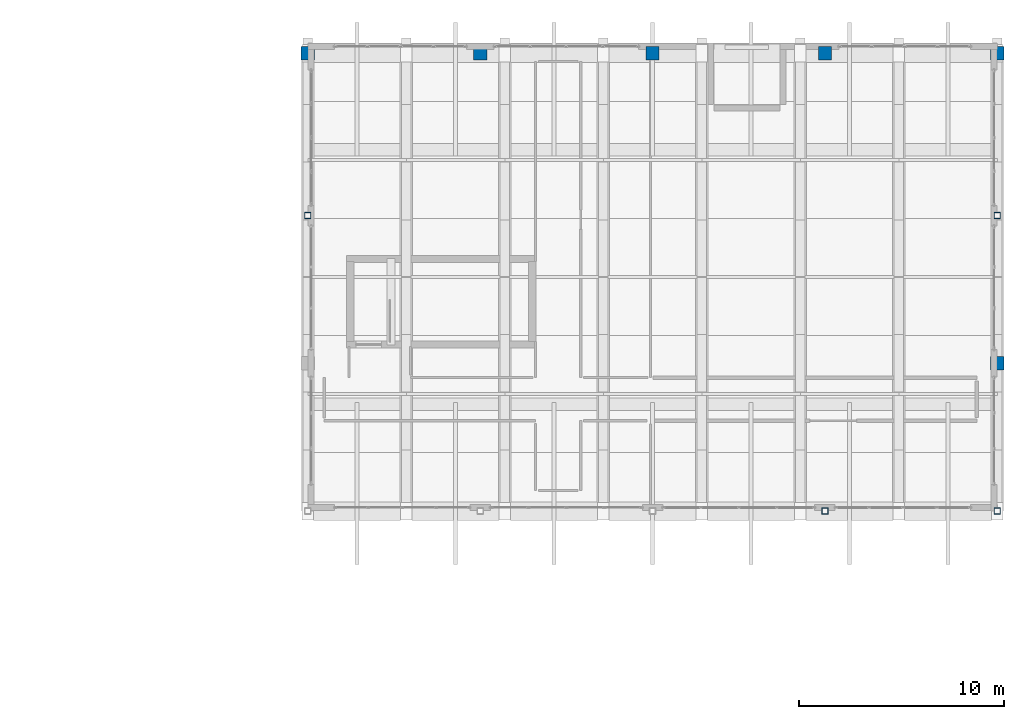
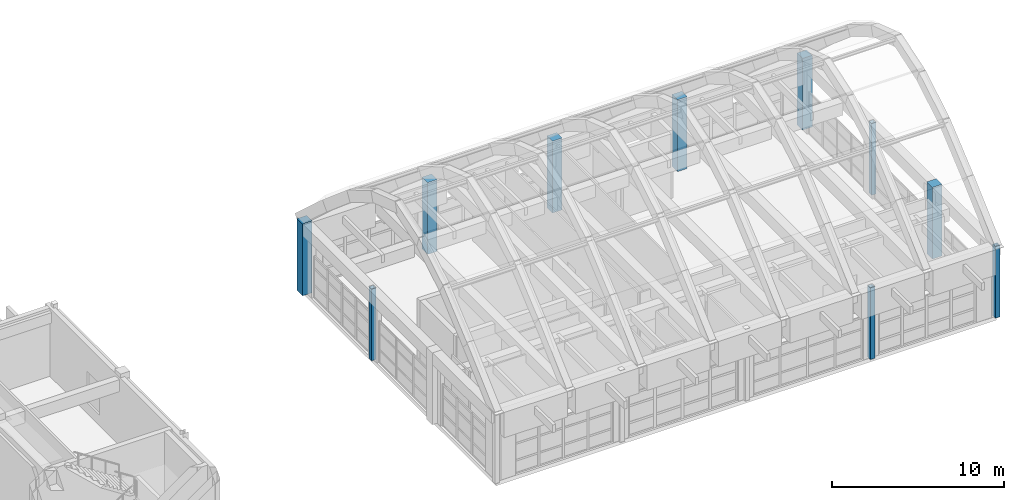
# One storey, part 9 of 78: 10 columns.
"""IFC4 building model written with IfcOpenShell, lengths in metres."""

from ifc_helpers import new_model, si_unit, direction, frame, origin, origin_2d, place, context, subcontext, project, spatial, rectangle, hollow_rectangle, extrude, material, material_profile, profile_set, type_object, element, save


model = new_model("IFC4")

# Units and contexts
model_context = context("Model", 3, precision=1e-05, world=origin(), true_north=direction((0.0, 1.0)))
body_context = subcontext(model_context, "Body", "Model", "MODEL_VIEW")
ifc_project = project(units=[si_unit("LENGTHUNIT", "METRE"), si_unit("AREAUNIT", "SQUARE_METRE"), si_unit("VOLUMEUNIT", "CUBIC_METRE"), si_unit("PLANEANGLEUNIT", "RADIAN"), si_unit("MASSUNIT", "GRAM", prefix="KILO")], contexts=[model_context])

# Site, building, storey
site_placement = place(None, origin())
site = spatial("IfcSite", under=ifc_project, at=site_placement, CompositionType="ELEMENT")
building_placement = place(site_placement, origin())
building = spatial("IfcBuilding", under=site, at=building_placement, Name="Quendrovan Civic Courthouse", CompositionType="ELEMENT")
storey_placement = place(building_placement, frame((0.0, 0.0, 20.39990234375)))
storey = spatial("IfcBuildingStorey", under=building, at=storey_placement, Name="L05", CompositionType="ELEMENT", Elevation=20.39990234375)

# Columns
ifc_material_1 = material(Name="Concrete C45/55", Category="concrete")
ifc_material_profile_1 = material_profile(ifc_material_1, rectangle(XDim=0.64990234375, YDim=0.64990234375, at=origin_2d()), Name="RC-COL-650x650")
ifc_profile_set_1 = profile_set([ifc_material_profile_1], Name="Concrete C45/55")
column_type_1 = type_object("IfcColumnType", Name="COL-RC650", PredefinedType="COLUMN", material=ifc_profile_set_1)
for number, where, z_axis, x_axis, name in (
    (1, (109.199951171875, 109.89990234375, 0.0), (0.0, 0.0, 1.0), (1.0, 0.0, 0.0), "L05 Column 14-Q"),
    (2, (117.60009765625, 109.89990234375, 0.0), (0.0, 0.0, 1.0), (1.0, 0.0, 0.0), "L05 Column 15-Q"),
    (3, (126.0, 109.89990234375, 0.0), (0.0, 0.0, 1.0), (1.0, 0.0, 0.0), "L05 Column 16-Q"),
    (4, (134.39990234375, 109.89990234375, 0.0), (0.0, 0.0, 1.0), (1.0, 0.0, 0.0), "L05 Column 17-Q"),
    (5, (142.800048828125, 94.800048828125, 0.0), (0.0, 0.0, 1.0), (1.0, 0.0, 0.0), "L05 Column 18-N"),
    (6, (142.800048828125, 109.89990234375, 0.0), (0.0, 0.0, 1.0), (1.0, 0.0, 0.0), "L05 Column 18-Q"),
):
    element("IfcColumn", number, at=place(storey_placement, frame(where, z_axis=z_axis, x_axis=x_axis)), inside=storey, type_object=column_type_1, Name=name, PredefinedType="COLUMN", context=body_context, shape_type="SweptSolid", body=[
        extrude(rectangle(XDim=0.64990234375, YDim=0.64990234375, at=origin_2d()), origin(), (0.0, 0.0, 1.0), 5.10009765625),
    ])
ifc_material_2 = material(Name="Steel ASTM A500 Grade C", Category="steel")
ifc_material_profile_2 = material_profile(ifc_material_2, hollow_rectangle(XDim=0.300048828125, YDim=0.300048828125, WallThickness=0.011962890625, at=origin_2d()), Name="HSS300x300x12")
ifc_profile_set_2 = profile_set([ifc_material_profile_2], Name="Steel ASTM A500 Grade C")
column_type_2 = type_object("IfcColumnType", Name="COL-STL-HSS300S", PredefinedType="COLUMN", material=ifc_profile_set_2)
for number, where, z_axis, x_axis, name in (
    (7, (109.199951171875, 102.0, 0.0), (0.0, 0.0, 1.0), (1.0, 0.0, 0.0), "L05 Column 14-P"),
    (8, (134.39990234375, 87.60009765625, 0.0), (0.0, 0.0, 1.0), (1.0, 0.0, 0.0), "L05 Column 17-M"),
    (9, (142.800048828125, 87.60009765625, 0.0), (0.0, 0.0, 1.0), (1.0, 0.0, 0.0), "L05 Column 18-M"),
    (10, (142.800048828125, 102.0, 0.0), (0.0, 0.0, 1.0), (1.0, 0.0, 0.0), "L05 Column 18-P"),
):
    element("IfcColumn", number, at=place(storey_placement, frame(where, z_axis=z_axis, x_axis=x_axis)), inside=storey, type_object=column_type_2, Name=name, PredefinedType="COLUMN", context=body_context, shape_type="SweptSolid", body=[
        extrude(hollow_rectangle(XDim=0.300048828125, YDim=0.300048828125, WallThickness=0.011962890625, at=origin_2d()), origin(), (0.0, 0.0, 1.0), 5.10009765625),
    ])

save(model, "model.ifc")
